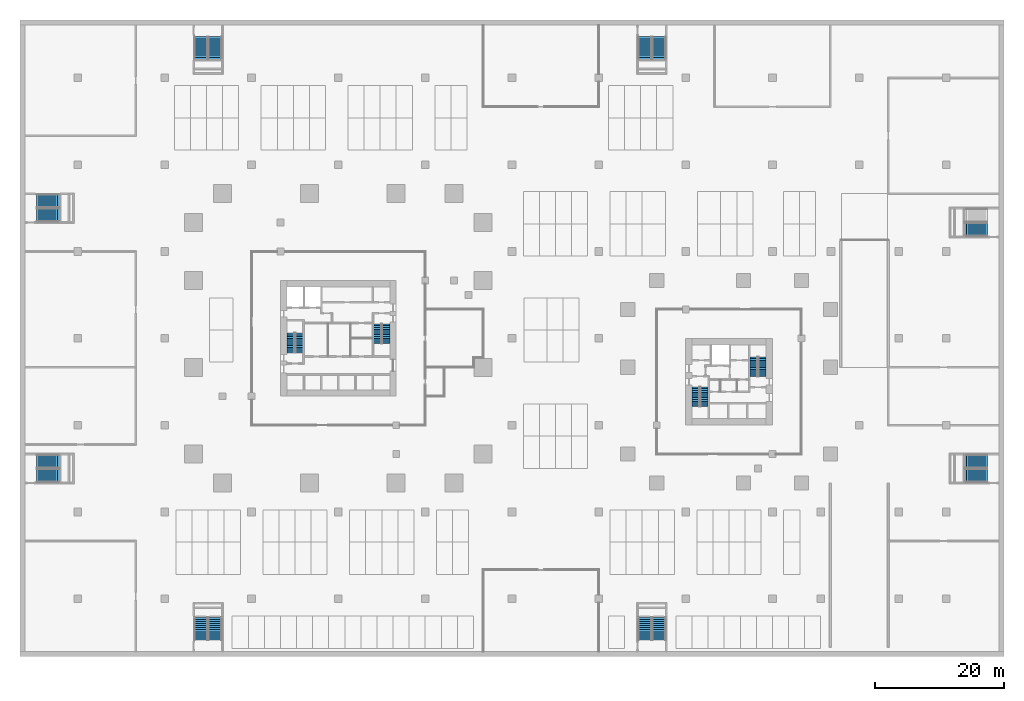
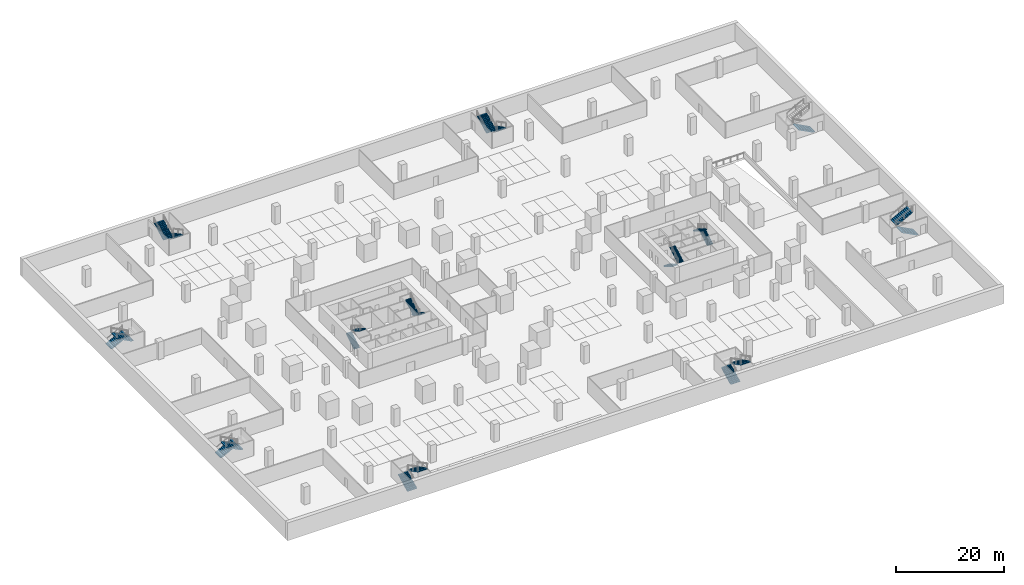
# One storey, part 15 of 31: 23 stair flights, 12 elements without a shape of their own.
"""IFC4 building model written with IfcOpenShell, lengths in metres."""

from ifc_helpers import new_model, si_unit, direction, frame, origin, place, context, subcontext, project, spatial, polyline, outline, extrude, material, type_object, element, aggregate, save


model = new_model("IFC4")

# Units and contexts
model_context = context("Model", 3, precision=1e-05, world=origin(), true_north=direction((0.0, 1.0)))
body_context = subcontext(model_context, "Body", "Model", "MODEL_VIEW")
ifc_project = project(units=[si_unit("LENGTHUNIT", "METRE"), si_unit("AREAUNIT", "SQUARE_METRE"), si_unit("VOLUMEUNIT", "CUBIC_METRE"), si_unit("PLANEANGLEUNIT", "RADIAN"), si_unit("MASSUNIT", "GRAM", prefix="KILO")], contexts=[model_context])

# Site, building, storey
site_placement = place(None, origin())
site = spatial("IfcSite", under=ifc_project, at=site_placement, CompositionType="ELEMENT")
building_placement = place(site_placement, origin())
building = spatial("IfcBuilding", under=site, at=building_placement, Name="Altepetl Exchange Towers", CompositionType="ELEMENT")
storey_placement = place(building_placement, frame((0.0, 0.0, -4.0)))
storey = spatial("IfcBuildingStorey", under=building, at=storey_placement, Name="B1 Basement services", CompositionType="ELEMENT", Elevation=-4.0)

# Stair, stair flights
ifc_material_1 = material(Name="Concrete C40/50", Category="concrete")
stair_type_1 = type_object("IfcStairType", Name="Exit stair 1200 flights dogleg", PredefinedType="HALF_TURN_STAIR", material=ifc_material_1)
stair_1_placement = place(storey_placement, origin())
stair_1 = element("IfcStair", 1, at=stair_1_placement, inside=storey, type_object=stair_type_1, Name="Exit stair 1", PredefinedType="HALF_TURN_STAIR")
stair_flight_type_1 = type_object("IfcStairFlightType", Name="Stair flight 1200 wide", PredefinedType="STRAIGHT", material=ifc_material_1)
stair_flight_1_placement = place(storey_placement, frame((42.10009765625, 47.25, 0.0), z_axis=(0.0, 0.0, 1.0), x_axis=(0.0, 1.0, 0.0)))
stair_flight_1 = element("IfcStairFlight", 2, at=stair_flight_1_placement, type_object=stair_flight_type_1, Name="ST-A1a flight 1", NumberOfRisers=12, NumberOfTreads=11, PredefinedType="STRAIGHT", RiserHeight=0.166666667, TreadLength=0.28, context=body_context, shape_type="SweptSolid", body=[
    extrude(outline(polyline([(0.0, 0.0), (0.0, 0.166748046875), (0.280029296875, 0.166748046875), (0.280029296875, 0.333251953125), (0.56005859375, 0.333251953125), (0.56005859375, 0.5), (0.840087890625, 0.5), (0.840087890625, 0.666748046875), (1.1201171875, 0.666748046875), (1.1201171875, 0.833251953125), (1.39990234375, 0.833251953125), (1.39990234375, 1.0), (1.679931640625, 1.0), (1.679931640625, 1.166748046875), (1.9599609375, 1.166748046875), (1.9599609375, 1.333251953125), (2.239990234375, 1.333251953125), (2.239990234375, 1.5), (2.52001953125, 1.5), (2.52001953125, 1.666748046875), (2.800048828125, 1.666748046875), (2.800048828125, 1.833251953125), (3.080078125, 1.833251953125), (3.080078125, 2.0), (3.080078125, 1.658935546875), (0.29296875, 0.0), (0.0, 0.0)])), frame((0.0, 0.60009765625, 0.0), z_axis=(0.0, -1.0, 0.0), x_axis=(1.0, 0.0, 0.0)), (0.0, 0.0, 1.0), 1.199951171875),
])
stair_flight_2_placement = place(storey_placement, frame((43.39990234375, 50.330078125, 2.0), z_axis=(0.0, 0.0, 1.0), x_axis=(0.0, -1.0, 0.0)))
stair_flight_2 = element("IfcStairFlight", 3, at=stair_flight_2_placement, type_object=stair_flight_type_1, Name="ST-A1a flight 2", NumberOfRisers=12, NumberOfTreads=11, PredefinedType="STRAIGHT", RiserHeight=0.166666667, TreadLength=0.28, context=body_context, shape_type="SweptSolid", body=[
    extrude(outline(polyline([(0.0, 0.0), (0.0, 0.166748046875), (0.280029296875, 0.166748046875), (0.280029296875, 0.333251953125), (0.56005859375, 0.333251953125), (0.56005859375, 0.5), (0.840087890625, 0.5), (0.840087890625, 0.666748046875), (1.1201171875, 0.666748046875), (1.1201171875, 0.833251953125), (1.39990234375, 0.833251953125), (1.39990234375, 1.0), (1.679931640625, 1.0), (1.679931640625, 1.166748046875), (1.9599609375, 1.166748046875), (1.9599609375, 1.333251953125), (2.239990234375, 1.333251953125), (2.239990234375, 1.5), (2.52001953125, 1.5), (2.52001953125, 1.666748046875), (2.800048828125, 1.666748046875), (2.800048828125, 1.833251953125), (3.080078125, 1.833251953125), (3.080078125, 2.0), (3.080078125, 1.658935546875), (0.29296875, 0.0), (0.0, 0.0)])), frame((0.0, 0.60009765625, 0.0), z_axis=(0.0, -1.0, 0.0), x_axis=(1.0, 0.0, 0.0)), (0.0, 0.0, 1.0), 1.199951171875),
])
aggregate(stair_1, [stair_flight_1, stair_flight_2])

stair_2_placement = place(storey_placement, origin())
stair_2 = element("IfcStair", 4, at=stair_2_placement, inside=storey, type_object=stair_type_1, Name="Exit stair 2", PredefinedType="HALF_TURN_STAIR")
stair_flight_3_placement = place(storey_placement, frame((56.89990234375, 51.75, 0.0), z_axis=(0.0, 0.0, 1.0), x_axis=(0.0, -1.0, 0.0)))
stair_flight_3 = element("IfcStairFlight", 5, at=stair_flight_3_placement, type_object=stair_flight_type_1, Name="ST-A2a flight 1", NumberOfRisers=12, NumberOfTreads=11, PredefinedType="STRAIGHT", RiserHeight=0.166666667, TreadLength=0.28, context=body_context, shape_type="SweptSolid", body=[
    extrude(outline(polyline([(0.0, 0.0), (0.0, 0.166748046875), (0.280029296875, 0.166748046875), (0.280029296875, 0.333251953125), (0.56005859375, 0.333251953125), (0.56005859375, 0.5), (0.840087890625, 0.5), (0.840087890625, 0.666748046875), (1.1201171875, 0.666748046875), (1.1201171875, 0.833251953125), (1.39990234375, 0.833251953125), (1.39990234375, 1.0), (1.679931640625, 1.0), (1.679931640625, 1.166748046875), (1.9599609375, 1.166748046875), (1.9599609375, 1.333251953125), (2.239990234375, 1.333251953125), (2.239990234375, 1.5), (2.52001953125, 1.5), (2.52001953125, 1.666748046875), (2.800048828125, 1.666748046875), (2.800048828125, 1.833251953125), (3.080078125, 1.833251953125), (3.080078125, 2.0), (3.080078125, 1.658935546875), (0.29296875, 0.0), (0.0, 0.0)])), frame((0.0, 0.60009765625, 0.0), z_axis=(0.0, -1.0, 0.0), x_axis=(1.0, 0.0, 0.0)), (0.0, 0.0, 1.0), 1.199951171875),
])
stair_flight_4_placement = place(storey_placement, frame((55.60009765625, 48.669921875, 2.0), z_axis=(0.0, 0.0, 1.0), x_axis=(0.0, 1.0, 0.0)))
stair_flight_4 = element("IfcStairFlight", 6, at=stair_flight_4_placement, type_object=stair_flight_type_1, Name="ST-A2a flight 2", NumberOfRisers=12, NumberOfTreads=11, PredefinedType="STRAIGHT", RiserHeight=0.166666667, TreadLength=0.28, context=body_context, shape_type="SweptSolid", body=[
    extrude(outline(polyline([(0.0, 0.0), (0.0, 0.166748046875), (0.280029296875, 0.166748046875), (0.280029296875, 0.333251953125), (0.56005859375, 0.333251953125), (0.56005859375, 0.5), (0.840087890625, 0.5), (0.840087890625, 0.666748046875), (1.1201171875, 0.666748046875), (1.1201171875, 0.833251953125), (1.39990234375, 0.833251953125), (1.39990234375, 1.0), (1.679931640625, 1.0), (1.679931640625, 1.166748046875), (1.9599609375, 1.166748046875), (1.9599609375, 1.333251953125), (2.239990234375, 1.333251953125), (2.239990234375, 1.5), (2.52001953125, 1.5), (2.52001953125, 1.666748046875), (2.800048828125, 1.666748046875), (2.800048828125, 1.833251953125), (3.080078125, 1.833251953125), (3.080078125, 2.0), (3.080078125, 1.658935546875), (0.29296875, 0.0), (0.0, 0.0)])), frame((0.0, 0.60009765625, 0.0), z_axis=(0.0, -1.0, 0.0), x_axis=(1.0, 0.0, 0.0)), (0.0, 0.0, 1.0), 1.199951171875),
])
aggregate(stair_2, [stair_flight_3, stair_flight_4])

stair_3_placement = place(storey_placement, origin())
stair_3 = element("IfcStair", 7, at=stair_3_placement, inside=storey, type_object=stair_type_1, Name="Exit stair 1", PredefinedType="HALF_TURN_STAIR")
stair_flight_5_placement = place(storey_placement, frame((105.10009765625, 41.949951171875, 0.0), z_axis=(0.0, 0.0, 1.0), x_axis=(0.0, -1.0, 0.0)))
stair_flight_5 = element("IfcStairFlight", 8, at=stair_flight_5_placement, type_object=stair_flight_type_1, Name="ST-B1a flight 1", NumberOfRisers=12, NumberOfTreads=11, PredefinedType="STRAIGHT", RiserHeight=0.166666667, TreadLength=0.28, context=body_context, shape_type="SweptSolid", body=[
    extrude(outline(polyline([(0.0, 0.0), (0.0, 0.166748046875), (0.280029296875, 0.166748046875), (0.280029296875, 0.333251953125), (0.56005859375, 0.333251953125), (0.56005859375, 0.5), (0.840087890625, 0.5), (0.840087890625, 0.666748046875), (1.1201171875, 0.666748046875), (1.1201171875, 0.833251953125), (1.39990234375, 0.833251953125), (1.39990234375, 1.0), (1.679931640625, 1.0), (1.679931640625, 1.166748046875), (1.9599609375, 1.166748046875), (1.9599609375, 1.333251953125), (2.239990234375, 1.333251953125), (2.239990234375, 1.5), (2.52001953125, 1.5), (2.52001953125, 1.666748046875), (2.800048828125, 1.666748046875), (2.800048828125, 1.833251953125), (3.080078125, 1.833251953125), (3.080078125, 2.0), (3.080078125, 1.658935546875), (0.29296875, 0.0), (0.0, 0.0)])), frame((0.0, 0.60009765625, 0.0), z_axis=(0.0, -1.0, 0.0), x_axis=(1.0, 0.0, 0.0)), (0.0, 0.0, 1.0), 1.199951171875),
])
stair_flight_6_placement = place(storey_placement, frame((106.39990234375, 38.8701171875, 2.0), z_axis=(0.0, 0.0, 1.0), x_axis=(0.0, 1.0, 0.0)))
stair_flight_6 = element("IfcStairFlight", 9, at=stair_flight_6_placement, type_object=stair_flight_type_1, Name="ST-B1a flight 2", NumberOfRisers=12, NumberOfTreads=11, PredefinedType="STRAIGHT", RiserHeight=0.166666667, TreadLength=0.28, context=body_context, shape_type="SweptSolid", body=[
    extrude(outline(polyline([(0.0, 0.0), (0.0, 0.166748046875), (0.280029296875, 0.166748046875), (0.280029296875, 0.333251953125), (0.56005859375, 0.333251953125), (0.56005859375, 0.5), (0.840087890625, 0.5), (0.840087890625, 0.666748046875), (1.1201171875, 0.666748046875), (1.1201171875, 0.833251953125), (1.39990234375, 0.833251953125), (1.39990234375, 1.0), (1.679931640625, 1.0), (1.679931640625, 1.166748046875), (1.9599609375, 1.166748046875), (1.9599609375, 1.333251953125), (2.239990234375, 1.333251953125), (2.239990234375, 1.5), (2.52001953125, 1.5), (2.52001953125, 1.666748046875), (2.800048828125, 1.666748046875), (2.800048828125, 1.833251953125), (3.080078125, 1.833251953125), (3.080078125, 2.0), (3.080078125, 1.658935546875), (0.29296875, 0.0), (0.0, 0.0)])), frame((0.0, 0.60009765625, 0.0), z_axis=(0.0, -1.0, 0.0), x_axis=(1.0, 0.0, 0.0)), (0.0, 0.0, 1.0), 1.199951171875),
])
aggregate(stair_3, [stair_flight_5, stair_flight_6])

stair_4_placement = place(storey_placement, origin())
stair_4 = element("IfcStair", 10, at=stair_4_placement, inside=storey, type_object=stair_type_1, Name="Exit stair 2", PredefinedType="HALF_TURN_STAIR")
stair_flight_7_placement = place(storey_placement, frame((115.39990234375, 43.550048828125, 0.0), z_axis=(0.0, 0.0, 1.0), x_axis=(0.0, 1.0, 0.0)))
stair_flight_7 = element("IfcStairFlight", 11, at=stair_flight_7_placement, type_object=stair_flight_type_1, Name="ST-B2a flight 1", NumberOfRisers=12, NumberOfTreads=11, PredefinedType="STRAIGHT", RiserHeight=0.166666667, TreadLength=0.28, context=body_context, shape_type="SweptSolid", body=[
    extrude(outline(polyline([(0.0, 0.0), (0.0, 0.166748046875), (0.280029296875, 0.166748046875), (0.280029296875, 0.333251953125), (0.56005859375, 0.333251953125), (0.56005859375, 0.5), (0.840087890625, 0.5), (0.840087890625, 0.666748046875), (1.1201171875, 0.666748046875), (1.1201171875, 0.833251953125), (1.39990234375, 0.833251953125), (1.39990234375, 1.0), (1.679931640625, 1.0), (1.679931640625, 1.166748046875), (1.9599609375, 1.166748046875), (1.9599609375, 1.333251953125), (2.239990234375, 1.333251953125), (2.239990234375, 1.5), (2.52001953125, 1.5), (2.52001953125, 1.666748046875), (2.800048828125, 1.666748046875), (2.800048828125, 1.833251953125), (3.080078125, 1.833251953125), (3.080078125, 2.0), (3.080078125, 1.658935546875), (0.29296875, 0.0), (0.0, 0.0)])), frame((0.0, 0.60009765625, 0.0), z_axis=(0.0, -1.0, 0.0), x_axis=(1.0, 0.0, 0.0)), (0.0, 0.0, 1.0), 1.199951171875),
])
stair_flight_8_placement = place(storey_placement, frame((114.10009765625, 46.6298828125, 2.0), z_axis=(0.0, 0.0, 1.0), x_axis=(0.0, -1.0, 0.0)))
stair_flight_8 = element("IfcStairFlight", 12, at=stair_flight_8_placement, type_object=stair_flight_type_1, Name="ST-B2a flight 2", NumberOfRisers=12, NumberOfTreads=11, PredefinedType="STRAIGHT", RiserHeight=0.166666667, TreadLength=0.28, context=body_context, shape_type="SweptSolid", body=[
    extrude(outline(polyline([(0.0, 0.0), (0.0, 0.166748046875), (0.280029296875, 0.166748046875), (0.280029296875, 0.333251953125), (0.56005859375, 0.333251953125), (0.56005859375, 0.5), (0.840087890625, 0.5), (0.840087890625, 0.666748046875), (1.1201171875, 0.666748046875), (1.1201171875, 0.833251953125), (1.39990234375, 0.833251953125), (1.39990234375, 1.0), (1.679931640625, 1.0), (1.679931640625, 1.166748046875), (1.9599609375, 1.166748046875), (1.9599609375, 1.333251953125), (2.239990234375, 1.333251953125), (2.239990234375, 1.5), (2.52001953125, 1.5), (2.52001953125, 1.666748046875), (2.800048828125, 1.666748046875), (2.800048828125, 1.833251953125), (3.080078125, 1.833251953125), (3.080078125, 2.0), (3.080078125, 1.658935546875), (0.29296875, 0.0), (0.0, 0.0)])), frame((0.0, 0.60009765625, 0.0), z_axis=(0.0, -1.0, 0.0), x_axis=(1.0, 0.0, 0.0)), (0.0, 0.0, 1.0), 1.199951171875),
])
aggregate(stair_4, [stair_flight_7, stair_flight_8])

ifc_material_2 = material(Name="Reinforced concrete C35/45", Category="concrete")
stair_type_2 = type_object("IfcStairType", Name="Exit half-turn stair 2025", PredefinedType="HALF_TURN_STAIR", material=ifc_material_2)
stair_5_placement = place(storey_placement, origin())
stair_5 = element("IfcStair", 13, at=stair_5_placement, inside=storey, type_object=stair_type_2, Name="ST-P1 stair", PredefinedType="HALF_TURN_STAIR")
stair_flight_type_2 = type_object("IfcStairFlightType", Name="Stair flight 2025", PredefinedType="STRAIGHT", material=ifc_material_2)
stair_flight_9_placement = place(storey_placement, frame((28.16259765625, 2.60009765625, 0.0), z_axis=(0.0, 0.0, 1.0), x_axis=(0.0, 1.0, 0.0)))
stair_flight_9 = element("IfcStairFlight", 14, at=stair_flight_9_placement, type_object=stair_flight_type_2, Name="ST-P1 flight 1", NumberOfRisers=12, NumberOfTreads=11, PredefinedType="STRAIGHT", RiserHeight=0.166667, TreadLength=0.32, context=body_context, shape_type="SweptSolid", body=[
    extrude(outline(polyline([(0.0, 0.0), (0.0, 0.166748046875), (0.320068359375, 0.166748046875), (0.320068359375, 0.333251953125), (0.639892578125, 0.333251953125), (0.639892578125, 0.5), (0.9599609375, 0.5), (0.9599609375, 0.666748046875), (1.280029296875, 0.666748046875), (1.280029296875, 0.833251953125), (1.60009765625, 0.833251953125), (1.60009765625, 1.0), (1.919921875, 1.0), (1.919921875, 1.166748046875), (2.239990234375, 1.166748046875), (2.239990234375, 1.333251953125), (2.56005859375, 1.333251953125), (2.56005859375, 1.5), (2.8798828125, 1.5), (2.8798828125, 1.666748046875), (3.199951171875, 1.666748046875), (3.199951171875, 1.833251953125), (3.52001953125, 1.833251953125), (3.52001953125, 2.0), (3.52001953125, 1.60791015625), (0.432861328125, 0.0), (0.0, 0.0)])), frame((0.0, 1.012451171875, 0.0), z_axis=(0.0, -1.0, 0.0), x_axis=(1.0, 0.0, 0.0)), (0.0, 0.0, 1.0), 2.02490234375),
])
stair_flight_10_placement = place(storey_placement, frame((30.33740234375, 6.1201171875, 2.0), z_axis=(0.0, 0.0, 1.0), x_axis=(0.0, -1.0, 0.0)))
stair_flight_10 = element("IfcStairFlight", 15, at=stair_flight_10_placement, type_object=stair_flight_type_2, Name="ST-P1 flight 2", NumberOfRisers=12, NumberOfTreads=11, PredefinedType="STRAIGHT", RiserHeight=0.166667, TreadLength=0.32, context=body_context, shape_type="SweptSolid", body=[
    extrude(outline(polyline([(0.0, 0.0), (0.0, 0.166748046875), (0.320068359375, 0.166748046875), (0.320068359375, 0.333251953125), (0.639892578125, 0.333251953125), (0.639892578125, 0.5), (0.9599609375, 0.5), (0.9599609375, 0.666748046875), (1.280029296875, 0.666748046875), (1.280029296875, 0.833251953125), (1.60009765625, 0.833251953125), (1.60009765625, 1.0), (1.919921875, 1.0), (1.919921875, 1.166748046875), (2.239990234375, 1.166748046875), (2.239990234375, 1.333251953125), (2.56005859375, 1.333251953125), (2.56005859375, 1.5), (2.8798828125, 1.5), (2.8798828125, 1.666748046875), (3.199951171875, 1.666748046875), (3.199951171875, 1.833251953125), (3.52001953125, 1.833251953125), (3.52001953125, 2.0), (3.52001953125, 1.60791015625), (0.432861328125, 0.0), (0.0, 0.0)])), frame((0.0, 1.012451171875, 0.0), z_axis=(0.0, -1.0, 0.0), x_axis=(1.0, 0.0, 0.0)), (0.0, 0.0, 1.0), 2.02490234375),
])
aggregate(stair_5, [stair_flight_9, stair_flight_10])

stair_6_placement = place(storey_placement, origin())
stair_6 = element("IfcStair", 16, at=stair_6_placement, inside=storey, type_object=stair_type_2, Name="ST-P2 stair", PredefinedType="HALF_TURN_STAIR")
stair_flight_11_placement = place(storey_placement, frame((97.16259765625, 2.60009765625, 0.0), z_axis=(0.0, 0.0, 1.0), x_axis=(0.0, 1.0, 0.0)))
stair_flight_11 = element("IfcStairFlight", 17, at=stair_flight_11_placement, type_object=stair_flight_type_2, Name="ST-P2 flight 1", NumberOfRisers=12, NumberOfTreads=11, PredefinedType="STRAIGHT", RiserHeight=0.166667, TreadLength=0.32, context=body_context, shape_type="SweptSolid", body=[
    extrude(outline(polyline([(0.0, 0.0), (0.0, 0.166748046875), (0.320068359375, 0.166748046875), (0.320068359375, 0.333251953125), (0.639892578125, 0.333251953125), (0.639892578125, 0.5), (0.9599609375, 0.5), (0.9599609375, 0.666748046875), (1.280029296875, 0.666748046875), (1.280029296875, 0.833251953125), (1.60009765625, 0.833251953125), (1.60009765625, 1.0), (1.919921875, 1.0), (1.919921875, 1.166748046875), (2.239990234375, 1.166748046875), (2.239990234375, 1.333251953125), (2.56005859375, 1.333251953125), (2.56005859375, 1.5), (2.8798828125, 1.5), (2.8798828125, 1.666748046875), (3.199951171875, 1.666748046875), (3.199951171875, 1.833251953125), (3.52001953125, 1.833251953125), (3.52001953125, 2.0), (3.52001953125, 1.60791015625), (0.432861328125, 0.0), (0.0, 0.0)])), frame((0.0, 1.012451171875, 0.0), z_axis=(0.0, -1.0, 0.0), x_axis=(1.0, 0.0, 0.0)), (0.0, 0.0, 1.0), 2.02490234375),
])
stair_flight_12_placement = place(storey_placement, frame((99.33740234375, 6.1201171875, 2.0), z_axis=(0.0, 0.0, 1.0), x_axis=(0.0, -1.0, 0.0)))
stair_flight_12 = element("IfcStairFlight", 18, at=stair_flight_12_placement, type_object=stair_flight_type_2, Name="ST-P2 flight 2", NumberOfRisers=12, NumberOfTreads=11, PredefinedType="STRAIGHT", RiserHeight=0.166667, TreadLength=0.32, context=body_context, shape_type="SweptSolid", body=[
    extrude(outline(polyline([(0.0, 0.0), (0.0, 0.166748046875), (0.320068359375, 0.166748046875), (0.320068359375, 0.333251953125), (0.639892578125, 0.333251953125), (0.639892578125, 0.5), (0.9599609375, 0.5), (0.9599609375, 0.666748046875), (1.280029296875, 0.666748046875), (1.280029296875, 0.833251953125), (1.60009765625, 0.833251953125), (1.60009765625, 1.0), (1.919921875, 1.0), (1.919921875, 1.166748046875), (2.239990234375, 1.166748046875), (2.239990234375, 1.333251953125), (2.56005859375, 1.333251953125), (2.56005859375, 1.5), (2.8798828125, 1.5), (2.8798828125, 1.666748046875), (3.199951171875, 1.666748046875), (3.199951171875, 1.833251953125), (3.52001953125, 1.833251953125), (3.52001953125, 2.0), (3.52001953125, 1.60791015625), (0.432861328125, 0.0), (0.0, 0.0)])), frame((0.0, 1.012451171875, 0.0), z_axis=(0.0, -1.0, 0.0), x_axis=(1.0, 0.0, 0.0)), (0.0, 0.0, 1.0), 2.02490234375),
])
aggregate(stair_6, [stair_flight_11, stair_flight_12])

stair_7_placement = place(storey_placement, origin())
stair_7 = element("IfcStair", 19, at=stair_7_placement, inside=storey, type_object=stair_type_2, Name="ST-P3 stair", PredefinedType="HALF_TURN_STAIR")
stair_flight_13_placement = place(storey_placement, frame((2.60009765625, 30.33740234375, 0.0)))
stair_flight_13 = element("IfcStairFlight", 20, at=stair_flight_13_placement, type_object=stair_flight_type_2, Name="ST-P3 flight 1", NumberOfRisers=12, NumberOfTreads=11, PredefinedType="STRAIGHT", RiserHeight=0.166667, TreadLength=0.32, context=body_context, shape_type="SweptSolid", body=[
    extrude(outline(polyline([(0.0, 0.0), (0.0, 0.166748046875), (0.320068359375, 0.166748046875), (0.320068359375, 0.333251953125), (0.639892578125, 0.333251953125), (0.639892578125, 0.5), (0.9599609375, 0.5), (0.9599609375, 0.666748046875), (1.280029296875, 0.666748046875), (1.280029296875, 0.833251953125), (1.60009765625, 0.833251953125), (1.60009765625, 1.0), (1.919921875, 1.0), (1.919921875, 1.166748046875), (2.239990234375, 1.166748046875), (2.239990234375, 1.333251953125), (2.56005859375, 1.333251953125), (2.56005859375, 1.5), (2.8798828125, 1.5), (2.8798828125, 1.666748046875), (3.199951171875, 1.666748046875), (3.199951171875, 1.833251953125), (3.52001953125, 1.833251953125), (3.52001953125, 2.0), (3.52001953125, 1.60791015625), (0.432861328125, 0.0), (0.0, 0.0)])), frame((0.0, 1.012451171875, 0.0), z_axis=(0.0, -1.0, 0.0), x_axis=(1.0, 0.0, 0.0)), (0.0, 0.0, 1.0), 2.02490234375),
])
stair_flight_14_placement = place(storey_placement, frame((6.1201171875, 28.16259765625, 2.0), z_axis=(0.0, 0.0, 1.0), x_axis=(-1.0, 0.0, 0.0)))
stair_flight_14 = element("IfcStairFlight", 21, at=stair_flight_14_placement, type_object=stair_flight_type_2, Name="ST-P3 flight 2", NumberOfRisers=12, NumberOfTreads=11, PredefinedType="STRAIGHT", RiserHeight=0.166667, TreadLength=0.32, context=body_context, shape_type="SweptSolid", body=[
    extrude(outline(polyline([(0.0, 0.0), (0.0, 0.166748046875), (0.320068359375, 0.166748046875), (0.320068359375, 0.333251953125), (0.639892578125, 0.333251953125), (0.639892578125, 0.5), (0.9599609375, 0.5), (0.9599609375, 0.666748046875), (1.280029296875, 0.666748046875), (1.280029296875, 0.833251953125), (1.60009765625, 0.833251953125), (1.60009765625, 1.0), (1.919921875, 1.0), (1.919921875, 1.166748046875), (2.239990234375, 1.166748046875), (2.239990234375, 1.333251953125), (2.56005859375, 1.333251953125), (2.56005859375, 1.5), (2.8798828125, 1.5), (2.8798828125, 1.666748046875), (3.199951171875, 1.666748046875), (3.199951171875, 1.833251953125), (3.52001953125, 1.833251953125), (3.52001953125, 2.0), (3.52001953125, 1.60791015625), (0.432861328125, 0.0), (0.0, 0.0)])), frame((0.0, 1.012451171875, 0.0), z_axis=(0.0, -1.0, 0.0), x_axis=(1.0, 0.0, 0.0)), (0.0, 0.0, 1.0), 2.02490234375),
])
aggregate(stair_7, [stair_flight_13, stair_flight_14])

stair_8_placement = place(storey_placement, origin())
stair_8 = element("IfcStair", 22, at=stair_8_placement, inside=storey, type_object=stair_type_2, Name="ST-P4 stair", PredefinedType="HALF_TURN_STAIR")
stair_flight_15_placement = place(storey_placement, frame((2.60009765625, 70.83740234375, 0.0)))
stair_flight_15 = element("IfcStairFlight", 23, at=stair_flight_15_placement, type_object=stair_flight_type_2, Name="ST-P4 flight 1", NumberOfRisers=12, NumberOfTreads=11, PredefinedType="STRAIGHT", RiserHeight=0.166667, TreadLength=0.32, context=body_context, shape_type="SweptSolid", body=[
    extrude(outline(polyline([(0.0, 0.0), (0.0, 0.166748046875), (0.320068359375, 0.166748046875), (0.320068359375, 0.333251953125), (0.639892578125, 0.333251953125), (0.639892578125, 0.5), (0.9599609375, 0.5), (0.9599609375, 0.666748046875), (1.280029296875, 0.666748046875), (1.280029296875, 0.833251953125), (1.60009765625, 0.833251953125), (1.60009765625, 1.0), (1.919921875, 1.0), (1.919921875, 1.166748046875), (2.239990234375, 1.166748046875), (2.239990234375, 1.333251953125), (2.56005859375, 1.333251953125), (2.56005859375, 1.5), (2.8798828125, 1.5), (2.8798828125, 1.666748046875), (3.199951171875, 1.666748046875), (3.199951171875, 1.833251953125), (3.52001953125, 1.833251953125), (3.52001953125, 2.0), (3.52001953125, 1.60791015625), (0.432861328125, 0.0), (0.0, 0.0)])), frame((0.0, 1.012451171875, 0.0), z_axis=(0.0, -1.0, 0.0), x_axis=(1.0, 0.0, 0.0)), (0.0, 0.0, 1.0), 2.02490234375),
])
stair_flight_16_placement = place(storey_placement, frame((6.1201171875, 68.66259765625, 2.0), z_axis=(0.0, 0.0, 1.0), x_axis=(-1.0, 0.0, 0.0)))
stair_flight_16 = element("IfcStairFlight", 24, at=stair_flight_16_placement, type_object=stair_flight_type_2, Name="ST-P4 flight 2", NumberOfRisers=12, NumberOfTreads=11, PredefinedType="STRAIGHT", RiserHeight=0.166667, TreadLength=0.32, context=body_context, shape_type="SweptSolid", body=[
    extrude(outline(polyline([(0.0, 0.0), (0.0, 0.166748046875), (0.320068359375, 0.166748046875), (0.320068359375, 0.333251953125), (0.639892578125, 0.333251953125), (0.639892578125, 0.5), (0.9599609375, 0.5), (0.9599609375, 0.666748046875), (1.280029296875, 0.666748046875), (1.280029296875, 0.833251953125), (1.60009765625, 0.833251953125), (1.60009765625, 1.0), (1.919921875, 1.0), (1.919921875, 1.166748046875), (2.239990234375, 1.166748046875), (2.239990234375, 1.333251953125), (2.56005859375, 1.333251953125), (2.56005859375, 1.5), (2.8798828125, 1.5), (2.8798828125, 1.666748046875), (3.199951171875, 1.666748046875), (3.199951171875, 1.833251953125), (3.52001953125, 1.833251953125), (3.52001953125, 2.0), (3.52001953125, 1.60791015625), (0.432861328125, 0.0), (0.0, 0.0)])), frame((0.0, 1.012451171875, 0.0), z_axis=(0.0, -1.0, 0.0), x_axis=(1.0, 0.0, 0.0)), (0.0, 0.0, 1.0), 2.02490234375),
])
aggregate(stair_8, [stair_flight_15, stair_flight_16])

stair_9_placement = place(storey_placement, origin())
stair_9 = element("IfcStair", 25, at=stair_9_placement, inside=storey, type_object=stair_type_2, Name="ST-P5 stair", PredefinedType="HALF_TURN_STAIR")
stair_flight_17_placement = place(storey_placement, frame((30.33740234375, 96.39990234375, 0.0), z_axis=(0.0, 0.0, 1.0), x_axis=(0.0, -1.0, 0.0)))
stair_flight_17 = element("IfcStairFlight", 26, at=stair_flight_17_placement, type_object=stair_flight_type_2, Name="ST-P5 flight 1", NumberOfRisers=12, NumberOfTreads=11, PredefinedType="STRAIGHT", RiserHeight=0.166667, TreadLength=0.32, context=body_context, shape_type="SweptSolid", body=[
    extrude(outline(polyline([(0.0, 0.0), (0.0, 0.166748046875), (0.320068359375, 0.166748046875), (0.320068359375, 0.333251953125), (0.639892578125, 0.333251953125), (0.639892578125, 0.5), (0.9599609375, 0.5), (0.9599609375, 0.666748046875), (1.280029296875, 0.666748046875), (1.280029296875, 0.833251953125), (1.60009765625, 0.833251953125), (1.60009765625, 1.0), (1.919921875, 1.0), (1.919921875, 1.166748046875), (2.239990234375, 1.166748046875), (2.239990234375, 1.333251953125), (2.56005859375, 1.333251953125), (2.56005859375, 1.5), (2.8798828125, 1.5), (2.8798828125, 1.666748046875), (3.199951171875, 1.666748046875), (3.199951171875, 1.833251953125), (3.52001953125, 1.833251953125), (3.52001953125, 2.0), (3.52001953125, 1.60791015625), (0.432861328125, 0.0), (0.0, 0.0)])), frame((0.0, 1.012451171875, 0.0), z_axis=(0.0, -1.0, 0.0), x_axis=(1.0, 0.0, 0.0)), (0.0, 0.0, 1.0), 2.02490234375),
])
stair_flight_18_placement = place(storey_placement, frame((28.16259765625, 92.8798828125, 2.0), z_axis=(0.0, 0.0, 1.0), x_axis=(0.0, 1.0, 0.0)))
stair_flight_18 = element("IfcStairFlight", 27, at=stair_flight_18_placement, type_object=stair_flight_type_2, Name="ST-P5 flight 2", NumberOfRisers=12, NumberOfTreads=11, PredefinedType="STRAIGHT", RiserHeight=0.166667, TreadLength=0.32, context=body_context, shape_type="SweptSolid", body=[
    extrude(outline(polyline([(0.0, 0.0), (0.0, 0.166748046875), (0.320068359375, 0.166748046875), (0.320068359375, 0.333251953125), (0.639892578125, 0.333251953125), (0.639892578125, 0.5), (0.9599609375, 0.5), (0.9599609375, 0.666748046875), (1.280029296875, 0.666748046875), (1.280029296875, 0.833251953125), (1.60009765625, 0.833251953125), (1.60009765625, 1.0), (1.919921875, 1.0), (1.919921875, 1.166748046875), (2.239990234375, 1.166748046875), (2.239990234375, 1.333251953125), (2.56005859375, 1.333251953125), (2.56005859375, 1.5), (2.8798828125, 1.5), (2.8798828125, 1.666748046875), (3.199951171875, 1.666748046875), (3.199951171875, 1.833251953125), (3.52001953125, 1.833251953125), (3.52001953125, 2.0), (3.52001953125, 1.60791015625), (0.432861328125, 0.0), (0.0, 0.0)])), frame((0.0, 1.012451171875, 0.0), z_axis=(0.0, -1.0, 0.0), x_axis=(1.0, 0.0, 0.0)), (0.0, 0.0, 1.0), 2.02490234375),
])
aggregate(stair_9, [stair_flight_17, stair_flight_18])

stair_10_placement = place(storey_placement, origin())
stair_10 = element("IfcStair", 28, at=stair_10_placement, inside=storey, type_object=stair_type_2, Name="ST-P6 stair", PredefinedType="HALF_TURN_STAIR")
stair_flight_19_placement = place(storey_placement, frame((99.33740234375, 96.39990234375, 0.0), z_axis=(0.0, 0.0, 1.0), x_axis=(0.0, -1.0, 0.0)))
stair_flight_19 = element("IfcStairFlight", 29, at=stair_flight_19_placement, type_object=stair_flight_type_2, Name="ST-P6 flight 1", NumberOfRisers=12, NumberOfTreads=11, PredefinedType="STRAIGHT", RiserHeight=0.166667, TreadLength=0.32, context=body_context, shape_type="SweptSolid", body=[
    extrude(outline(polyline([(0.0, 0.0), (0.0, 0.166748046875), (0.320068359375, 0.166748046875), (0.320068359375, 0.333251953125), (0.639892578125, 0.333251953125), (0.639892578125, 0.5), (0.9599609375, 0.5), (0.9599609375, 0.666748046875), (1.280029296875, 0.666748046875), (1.280029296875, 0.833251953125), (1.60009765625, 0.833251953125), (1.60009765625, 1.0), (1.919921875, 1.0), (1.919921875, 1.166748046875), (2.239990234375, 1.166748046875), (2.239990234375, 1.333251953125), (2.56005859375, 1.333251953125), (2.56005859375, 1.5), (2.8798828125, 1.5), (2.8798828125, 1.666748046875), (3.199951171875, 1.666748046875), (3.199951171875, 1.833251953125), (3.52001953125, 1.833251953125), (3.52001953125, 2.0), (3.52001953125, 1.60791015625), (0.432861328125, 0.0), (0.0, 0.0)])), frame((0.0, 1.012451171875, 0.0), z_axis=(0.0, -1.0, 0.0), x_axis=(1.0, 0.0, 0.0)), (0.0, 0.0, 1.0), 2.02490234375),
])
stair_flight_20_placement = place(storey_placement, frame((97.16259765625, 92.8798828125, 2.0), z_axis=(0.0, 0.0, 1.0), x_axis=(0.0, 1.0, 0.0)))
stair_flight_20 = element("IfcStairFlight", 30, at=stair_flight_20_placement, type_object=stair_flight_type_2, Name="ST-P6 flight 2", NumberOfRisers=12, NumberOfTreads=11, PredefinedType="STRAIGHT", RiserHeight=0.166667, TreadLength=0.32, context=body_context, shape_type="SweptSolid", body=[
    extrude(outline(polyline([(0.0, 0.0), (0.0, 0.166748046875), (0.320068359375, 0.166748046875), (0.320068359375, 0.333251953125), (0.639892578125, 0.333251953125), (0.639892578125, 0.5), (0.9599609375, 0.5), (0.9599609375, 0.666748046875), (1.280029296875, 0.666748046875), (1.280029296875, 0.833251953125), (1.60009765625, 0.833251953125), (1.60009765625, 1.0), (1.919921875, 1.0), (1.919921875, 1.166748046875), (2.239990234375, 1.166748046875), (2.239990234375, 1.333251953125), (2.56005859375, 1.333251953125), (2.56005859375, 1.5), (2.8798828125, 1.5), (2.8798828125, 1.666748046875), (3.199951171875, 1.666748046875), (3.199951171875, 1.833251953125), (3.52001953125, 1.833251953125), (3.52001953125, 2.0), (3.52001953125, 1.60791015625), (0.432861328125, 0.0), (0.0, 0.0)])), frame((0.0, 1.012451171875, 0.0), z_axis=(0.0, -1.0, 0.0), x_axis=(1.0, 0.0, 0.0)), (0.0, 0.0, 1.0), 2.02490234375),
])
aggregate(stair_10, [stair_flight_19, stair_flight_20])

stair_11_placement = place(storey_placement, origin())
stair_11 = element("IfcStair", 31, at=stair_11_placement, inside=storey, type_object=stair_type_2, Name="ST-P7 stair", PredefinedType="HALF_TURN_STAIR")
stair_flight_21_placement = place(storey_placement, frame((150.39990234375, 28.16259765625, 0.0), z_axis=(0.0, 0.0, 1.0), x_axis=(-1.0, 0.0, 0.0)))
stair_flight_21 = element("IfcStairFlight", 32, at=stair_flight_21_placement, type_object=stair_flight_type_2, Name="ST-P7 flight 1", NumberOfRisers=12, NumberOfTreads=11, PredefinedType="STRAIGHT", RiserHeight=0.166667, TreadLength=0.32, context=body_context, shape_type="SweptSolid", body=[
    extrude(outline(polyline([(0.0, 0.0), (0.0, 0.166748046875), (0.320068359375, 0.166748046875), (0.320068359375, 0.333251953125), (0.639892578125, 0.333251953125), (0.639892578125, 0.5), (0.9599609375, 0.5), (0.9599609375, 0.666748046875), (1.280029296875, 0.666748046875), (1.280029296875, 0.833251953125), (1.60009765625, 0.833251953125), (1.60009765625, 1.0), (1.919921875, 1.0), (1.919921875, 1.166748046875), (2.239990234375, 1.166748046875), (2.239990234375, 1.333251953125), (2.56005859375, 1.333251953125), (2.56005859375, 1.5), (2.8798828125, 1.5), (2.8798828125, 1.666748046875), (3.199951171875, 1.666748046875), (3.199951171875, 1.833251953125), (3.52001953125, 1.833251953125), (3.52001953125, 2.0), (3.52001953125, 1.60791015625), (0.432861328125, 0.0), (0.0, 0.0)])), frame((0.0, 1.012451171875, 0.0), z_axis=(0.0, -1.0, 0.0), x_axis=(1.0, 0.0, 0.0)), (0.0, 0.0, 1.0), 2.02490234375),
])
stair_flight_22_placement = place(storey_placement, frame((146.8798828125, 30.33740234375, 2.0)))
stair_flight_22 = element("IfcStairFlight", 33, at=stair_flight_22_placement, type_object=stair_flight_type_2, Name="ST-P7 flight 2", NumberOfRisers=12, NumberOfTreads=11, PredefinedType="STRAIGHT", RiserHeight=0.166667, TreadLength=0.32, context=body_context, shape_type="SweptSolid", body=[
    extrude(outline(polyline([(0.0, 0.0), (0.0, 0.166748046875), (0.320068359375, 0.166748046875), (0.320068359375, 0.333251953125), (0.639892578125, 0.333251953125), (0.639892578125, 0.5), (0.9599609375, 0.5), (0.9599609375, 0.666748046875), (1.280029296875, 0.666748046875), (1.280029296875, 0.833251953125), (1.60009765625, 0.833251953125), (1.60009765625, 1.0), (1.919921875, 1.0), (1.919921875, 1.166748046875), (2.239990234375, 1.166748046875), (2.239990234375, 1.333251953125), (2.56005859375, 1.333251953125), (2.56005859375, 1.5), (2.8798828125, 1.5), (2.8798828125, 1.666748046875), (3.199951171875, 1.666748046875), (3.199951171875, 1.833251953125), (3.52001953125, 1.833251953125), (3.52001953125, 2.0), (3.52001953125, 1.60791015625), (0.432861328125, 0.0), (0.0, 0.0)])), frame((0.0, 1.012451171875, 0.0), z_axis=(0.0, -1.0, 0.0), x_axis=(1.0, 0.0, 0.0)), (0.0, 0.0, 1.0), 2.02490234375),
])
aggregate(stair_11, [stair_flight_21, stair_flight_22])

# Stair, stair flight
stair_12_placement = place(storey_placement, origin())
stair_12 = element("IfcStair", 34, at=stair_12_placement, inside=storey, type_object=stair_type_2, Name="ST-P8 stair", PredefinedType="HALF_TURN_STAIR")
stair_flight_23_placement = place(storey_placement, frame((150.39990234375, 66.41259765625, 0.0), z_axis=(0.0, 0.0, 1.0), x_axis=(-1.0, 0.0, 0.0)))
stair_flight_23 = element("IfcStairFlight", 35, at=stair_flight_23_placement, type_object=stair_flight_type_2, Name="ST-P8 flight 1", NumberOfRisers=12, NumberOfTreads=11, PredefinedType="STRAIGHT", RiserHeight=0.166667, TreadLength=0.32, context=body_context, shape_type="SweptSolid", body=[
    extrude(outline(polyline([(0.0, 0.0), (0.0, 0.166748046875), (0.320068359375, 0.166748046875), (0.320068359375, 0.333251953125), (0.639892578125, 0.333251953125), (0.639892578125, 0.5), (0.9599609375, 0.5), (0.9599609375, 0.666748046875), (1.280029296875, 0.666748046875), (1.280029296875, 0.833251953125), (1.60009765625, 0.833251953125), (1.60009765625, 1.0), (1.919921875, 1.0), (1.919921875, 1.166748046875), (2.239990234375, 1.166748046875), (2.239990234375, 1.333251953125), (2.56005859375, 1.333251953125), (2.56005859375, 1.5), (2.8798828125, 1.5), (2.8798828125, 1.666748046875), (3.199951171875, 1.666748046875), (3.199951171875, 1.833251953125), (3.52001953125, 1.833251953125), (3.52001953125, 2.0), (3.52001953125, 1.60791015625), (0.432861328125, 0.0), (0.0, 0.0)])), frame((0.0, 1.012451171875, 0.0), z_axis=(0.0, -1.0, 0.0), x_axis=(1.0, 0.0, 0.0)), (0.0, 0.0, 1.0), 2.02490234375),
])
aggregate(stair_12, [stair_flight_23])

save(model, "model.ifc")
